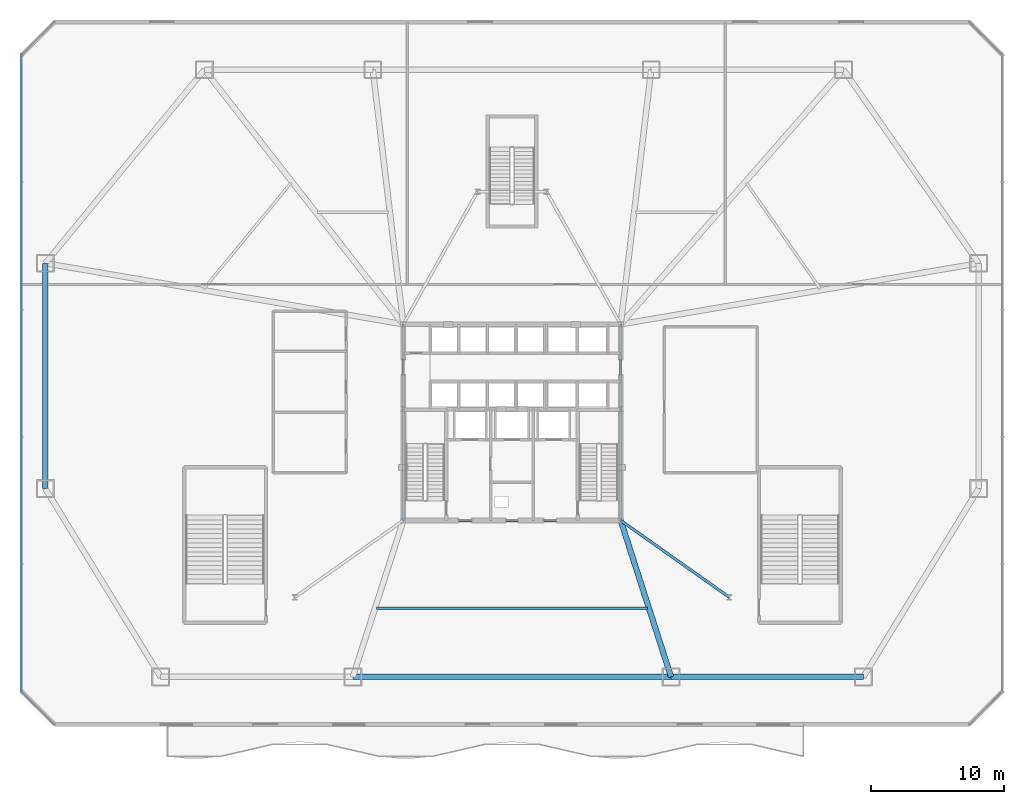
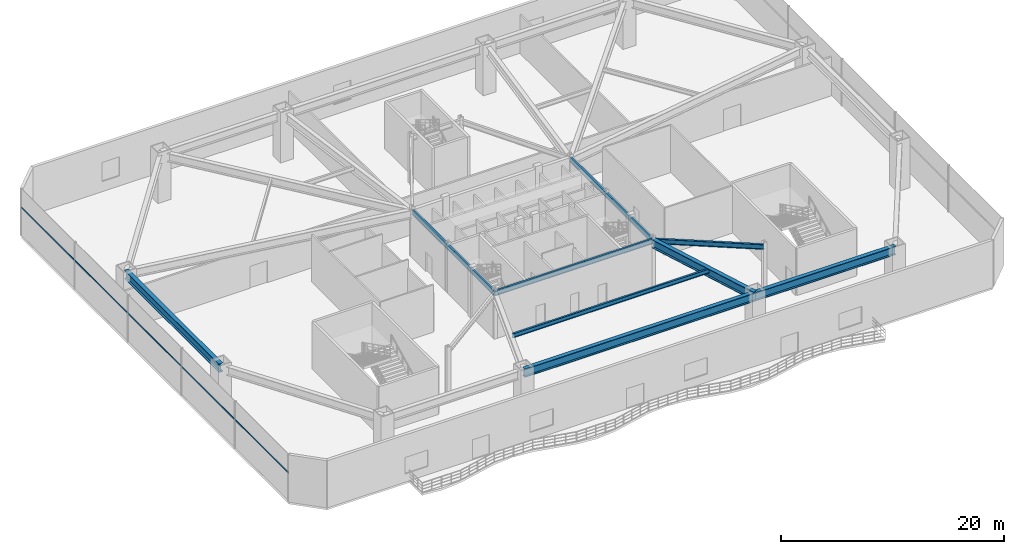
# One storey, part 6 of 20: 9 beams, 1 member, 1 element without a shape of its own.
"""IFC4 building model written with IfcOpenShell, lengths in metres."""

import ifcopenshell
import ifcopenshell.guid

model = None  # the IFC model being written
_history = None  # IfcOwnerHistory: only IFC2X3 demands one
_inside = {}  # id of a spatial element -> (the spatial element, [elements in it])
_under = {}  # id of a project, library or spatial element -> (it, [spatial elements below it])
_declared = {}  # id of a project -> (the project, [libraries it declares])
_typed = {}  # id of a type object -> (the type object, [elements of that type])
_made_of = {}  # id of a material, layer set ... -> (it, [elements and type objects made of it])


def new_model(schema):
    """Start an empty IFC model of exactly this schema.

    Asked for "IFC4X3", IfcOpenShell would pick the latest addendum, in which some entities
    have other attributes; the version numbers below select the first issue.
    IFC2X3 requires an IfcOwnerHistory on every rooted entity: one is made here for all.
    """
    global model, _history
    if schema == "IFC4X3":
        model = ifcopenshell.file(schema_version=(4, 3, 0, 0))
    else:
        model = ifcopenshell.file(schema=schema)
    _inside.clear()
    _under.clear()
    _declared.clear()
    _typed.clear()
    _made_of.clear()
    _history = None
    if model.schema == "IFC2X3":
        org = make("IfcOrganization", Name="unknown")
        user = make(
            "IfcPersonAndOrganization",
            ThePerson=make("IfcPerson", FamilyName="unknown"),
            TheOrganization=org,
        )
        app = make(
            "IfcApplication",
            ApplicationDeveloper=org,
            Version="unknown",
            ApplicationFullName="unknown",
            ApplicationIdentifier="unknown",
        )
        _history = make(
            "IfcOwnerHistory",
            OwningUser=user,
            OwningApplication=app,
            ChangeAction="ADDED",
            CreationDate=0,
        )
    return model


def make(cls, **values):
    """One entity of the class cls with the attributes given. An attribute that is None is left unset."""
    return model.create_entity(
        cls, **{name: value for name, value in values.items() if value is not None}
    )


def rooted(cls, **values):
    """An entity with a GlobalId (a new one), such as an element, a storey or a relation."""
    return make(cls, GlobalId=ifcopenshell.guid.new(), OwnerHistory=_history, **values)


def si_unit(unit_type, name, prefix=None):
    """IfcSIUnit, for example si_unit("LENGTHUNIT", "METRE", prefix="MILLI")."""
    return make("IfcSIUnit", UnitType=unit_type, Prefix=prefix, Name=name)


def assignment(units):
    """IfcUnitAssignment: the units of a project."""
    return None if units is None else make("IfcUnitAssignment", Units=units)


def point(xyz):
    """IfcCartesianPoint."""
    return None if xyz is None else make("IfcCartesianPoint", Coordinates=xyz)


def direction(xyz):
    """IfcDirection."""
    return None if xyz is None else make("IfcDirection", DirectionRatios=xyz)


def frame(location, z_axis=None, x_axis=None):
    """IfcAxis2Placement3D, a coordinate frame: its origin and axes. An axis left out is left unset."""
    return make(
        "IfcAxis2Placement3D",
        Location=point(location),
        Axis=direction(z_axis),
        RefDirection=direction(x_axis),
    )


def frame_2d(location, x_axis=None):
    """IfcAxis2Placement2D, a coordinate frame in the plane: its origin and x axis."""
    return make(
        "IfcAxis2Placement2D", Location=point(location), RefDirection=direction(x_axis)
    )


def origin():
    """The frame at (0, 0, 0) with its axes left unset."""
    return frame((0.0, 0.0, 0.0))


def origin_2d():
    """The frame at (0, 0) in the plane with its x axis left unset."""
    return frame_2d((0.0, 0.0))


def place(relative_to, where):
    """IfcLocalPlacement: puts the frame where relative to a parent placement (None: the world)."""
    return make(
        "IfcLocalPlacement", PlacementRelTo=relative_to, RelativePlacement=where
    )


def context(
    kind, dimensions, precision=None, world=None, true_north=None, identifier=None
):
    """IfcGeometricRepresentationContext, for example the 3D "Model" context."""
    return make(
        "IfcGeometricRepresentationContext",
        ContextIdentifier=identifier,
        ContextType=kind,
        CoordinateSpaceDimension=dimensions,
        Precision=precision,
        WorldCoordinateSystem=world,
        TrueNorth=true_north,
    )


def subcontext(parent, identifier, kind, view, scale=None):
    """IfcGeometricRepresentationSubContext, for example "Body" below "Model"."""
    return make(
        "IfcGeometricRepresentationSubContext",
        ContextIdentifier=identifier,
        ContextType=kind,
        ParentContext=parent,
        TargetScale=scale,
        TargetView=view,
    )


def project(units=None, contexts=None):
    """IfcProject with its units and contexts."""
    return rooted(
        "IfcProject",
        Name="project",
        RepresentationContexts=contexts,
        UnitsInContext=assignment(units),
    )


def spatial(cls, under=None, at=None, **own):
    """A site, building, storey or space (cls), placed at a placement, below another one or the project."""
    s = rooted(cls, ObjectPlacement=at, **own)
    if under is not None:
        _under.setdefault(under.id(), (under, []))[1].append(s)
    return s


def profile(cls, at=None, kind="AREA", **sizes):
    """A parametric profile (cls). Its sizes go by their IFC names, for example OverallWidth=200.0."""
    return make(cls, ProfileType=kind, Position=at, **sizes)


def rectangle(**sizes):
    """IfcRectangleProfileDef."""
    return profile("IfcRectangleProfileDef", **sizes)


def i_section(**sizes):
    """IfcIShapeProfileDef."""
    return profile("IfcIShapeProfileDef", **sizes)


def extrude(swept, where, along, depth):
    """IfcExtrudedAreaSolid: the profile swept, set in the frame where, extruded along a direction by depth."""
    return make(
        "IfcExtrudedAreaSolid",
        SweptArea=swept,
        Position=where,
        ExtrudedDirection=direction(along),
        Depth=depth,
    )


def shape(context_of_items, identifier, shape_type, items):
    """IfcShapeRepresentation: the items that make up one representation, for example the "Body"."""
    return make(
        "IfcShapeRepresentation",
        ContextOfItems=context_of_items,
        RepresentationIdentifier=identifier,
        RepresentationType=shape_type,
        Items=items,
    )


def source(mapping_origin, context_of_items, identifier, shape_type, items):
    """IfcRepresentationMap: a shape defined once, which mapped items show again and again."""
    return make(
        "IfcRepresentationMap",
        MappingOrigin=mapping_origin,
        MappedRepresentation=shape(context_of_items, identifier, shape_type, items),
    )


def transform(
    local_origin,
    x_axis=None,
    y_axis=None,
    z_axis=None,
    scale=None,
    scale2=None,
    scale3=None,
    uniform=True,
):
    """IfcCartesianTransformationOperator3D, or its non-uniform kind. x_axis, y_axis, z_axis: its Axis1, 2, 3."""
    if uniform:
        return make(
            "IfcCartesianTransformationOperator3D",
            Axis1=direction(x_axis),
            Axis2=direction(y_axis),
            LocalOrigin=point(local_origin),
            Scale=scale,
            Axis3=direction(z_axis),
        )
    return make(
        "IfcCartesianTransformationOperator3DnonUniform",
        Axis1=direction(x_axis),
        Axis2=direction(y_axis),
        LocalOrigin=point(local_origin),
        Scale=scale,
        Axis3=direction(z_axis),
        Scale2=scale2,
        Scale3=scale3,
    )


def mapped(mapping_source, mapping_target):
    """IfcMappedItem: shows the shape of a source again, moved by a transform."""
    return make(
        "IfcMappedItem", MappingSource=mapping_source, MappingTarget=mapping_target
    )


def material(Name=None, Category=None):
    """IfcMaterial."""
    return make("IfcMaterial", Name=Name, Category=Category)


def layer(
    of_material, thickness, ventilated=None, Name=None, Category=None, Priority=None
):
    """IfcMaterialLayer: one layer of a wall or slab, of a material (None: an air gap)."""
    return make(
        "IfcMaterialLayer",
        Material=of_material,
        LayerThickness=thickness,
        IsVentilated=ventilated,
        Name=Name,
        Category=Category,
        Priority=Priority,
    )


def layer_set(layers, Name=None):
    """IfcMaterialLayerSet."""
    return make("IfcMaterialLayerSet", MaterialLayers=layers, LayerSetName=Name)


def material_profile(
    of_material, cross_section, Name=None, Category=None, Priority=None
):
    """IfcMaterialProfile: a cross section and its material."""
    return make(
        "IfcMaterialProfile",
        Name=Name,
        Material=of_material,
        Profile=cross_section,
        Priority=Priority,
        Category=Category,
    )


def profile_set(profiles, Name=None, composite=None):
    """IfcMaterialProfileSet."""
    return make(
        "IfcMaterialProfileSet",
        Name=Name,
        MaterialProfiles=profiles,
        CompositeProfile=composite,
    )


def made_of(thing, what):
    """Note that an element or type object is made of a material, layer set ...; save() writes the relation."""
    if what is not None:
        _made_of.setdefault(what.id(), (what, []))[1].append(thing)
    return thing


def type_object(cls, material=None, **own):
    """A type object (cls), such as IfcWallType, which elements share."""
    return made_of(rooted(cls, **own), material)


def type_shapes(of_type, sources):
    """Give a type object the sources (RepresentationMaps) that its elements show as mapped items."""
    of_type.RepresentationMaps = sources


def element(
    cls,
    number,
    at=None,
    inside=None,
    cuts=None,
    type_object=None,
    material=None,
    context=None,
    identifier="Body",
    shape_type=None,
    held_by="IfcProductDefinitionShape",
    body=None,
    shapes=None,
    **own,
):
    """One element of the class cls, such as IfcWall. Its Tag is "e" and its number.

    at: its placement. inside: the storey or other place that contains it. cuts: it is an
    opening in that element (IfcRelVoidsElement). A single representation is given by context,
    identifier, shape_type and body (its items); several are given by shapes. held_by: the class
    of the entity that holds the representations. save() writes the other relations.
    """
    e = rooted(cls, Tag="e%d" % number, ObjectPlacement=at, **own)
    if body is not None:
        shapes = [shape(context, identifier, shape_type, body)]
    if shapes is not None:
        e.Representation = make(held_by, Representations=shapes)
    if inside is not None:
        _inside.setdefault(inside.id(), (inside, []))[1].append(e)
    if cuts is not None:
        rooted(
            "IfcRelVoidsElement", RelatingBuildingElement=cuts, RelatedOpeningElement=e
        )
    if type_object is not None:
        _typed.setdefault(type_object.id(), (type_object, []))[1].append(e)
    return made_of(e, material)


def aggregate(whole, parts):
    """IfcRelAggregates: a whole, such as a stair, and the parts it consists of."""
    return rooted("IfcRelAggregates", RelatingObject=whole, RelatedObjects=parts)


def save(model, path):
    """Write the relations noted so far, then the file.

    IfcRelAggregates (storeys below a building ...), IfcRelContainedInSpatialStructure (elements
    in a storey), IfcRelDefinesByType, IfcRelAssociatesMaterial and IfcRelDeclares: one each for
    every whole, place, type object, material and project.
    """
    for whole, parts in _under.values():
        aggregate(whole, parts)
    for where, things in _inside.values():
        rooted(
            "IfcRelContainedInSpatialStructure",
            RelatedElements=things,
            RelatingStructure=where,
        )
    for kind, things in _typed.values():
        rooted("IfcRelDefinesByType", RelatedObjects=things, RelatingType=kind)
    for what, things in _made_of.values():
        rooted("IfcRelAssociatesMaterial", RelatedObjects=things, RelatingMaterial=what)
    for by, libraries in _declared.values():
        rooted("IfcRelDeclares", RelatingContext=by, RelatedDefinitions=libraries)
    model.write(path)


model = new_model("IFC4")

# Units and contexts
model_context = context("Model", 3, precision=1e-05, world=origin(), true_north=direction((0.0, 1.0)))
body_context = subcontext(model_context, "Body", "Model", "MODEL_VIEW")
ifc_project = project(units=[si_unit("LENGTHUNIT", "METRE"), si_unit("AREAUNIT", "SQUARE_METRE"), si_unit("VOLUMEUNIT", "CUBIC_METRE"), si_unit("PLANEANGLEUNIT", "RADIAN"), si_unit("MASSUNIT", "GRAM", prefix="KILO")], contexts=[model_context])

# Site, building, storey
site_placement = place(None, origin())
site = spatial("IfcSite", under=ifc_project, at=site_placement, CompositionType="ELEMENT")
building_placement = place(site_placement, origin())
building = spatial("IfcBuilding", under=site, at=building_placement, Name="Varakhsha Concourse Tower", CompositionType="ELEMENT")
storey_placement = place(building_placement, frame((0.0, 0.0, 16.5)))
storey = spatial("IfcBuildingStorey", under=building, at=storey_placement, Name="L04", CompositionType="ELEMENT", Elevation=16.5)

# Beams
ifc_material_1 = material(Name="Structural Steel ASTM A992 Grade 50", Category="steel")
ifc_material_profile_1 = material_profile(ifc_material_1, i_section(OverallWidth=0.41796875, OverallDepth=0.927001953125, WebThickness=0.030029296875, FlangeThickness=0.051025390625, at=origin_2d()), Name="W36X231")
ifc_profile_set_1 = profile_set([ifc_material_profile_1], Name="Structural Steel ASTM A992 Grade 50")
beam_type_1 = type_object("IfcBeamType", Name="BM-HALL-W36X231", PredefinedType="USERDEFINED", material=ifc_profile_set_1)
beam_1_placement = place(storey_placement, frame((28.0, 4.60009765625, 4.716552734375), z_axis=(1.0, 0.0, 0.0), x_axis=(0.0, 1.0, 0.0)))
element("IfcBeam", 1, at=beam_1_placement, inside=storey, type_object=beam_type_1, Name="BM-PRING-L04-02", ObjectType="GIRDER", PredefinedType="USERDEFINED", context=body_context, shape_type="SweptSolid", body=[
    extrude(i_section(OverallWidth=0.41796875, OverallDepth=0.927001953125, WebThickness=0.030029296875, FlangeThickness=0.051025390625, at=origin_2d()), origin(), (0.0, 0.0, 1.0), 24.0),
])
beam_2_placement = place(storey_placement, frame((52.0, 4.60009765625, 4.716552734375), z_axis=(1.0, 0.0, 0.0), x_axis=(0.0, 1.0, 0.0)))
element("IfcBeam", 2, at=beam_2_placement, inside=storey, type_object=beam_type_1, Name="BM-PRING-L04-03", ObjectType="GIRDER", PredefinedType="USERDEFINED", context=body_context, shape_type="SweptSolid", body=[
    extrude(i_section(OverallWidth=0.41796875, OverallDepth=0.927001953125, WebThickness=0.030029296875, FlangeThickness=0.051025390625, at=origin_2d()), origin(), (0.0, 0.0, 1.0), 14.5),
])
beam_3_placement = place(storey_placement, frame((4.800048828125, 35.800048828125, 4.716552734375), z_axis=(0.0, -1.0, 0.0), x_axis=(1.0, 0.0, 0.0)))
element("IfcBeam", 3, at=beam_3_placement, inside=storey, type_object=beam_type_1, Name="BM-PRING-L04-11", ObjectType="GIRDER", PredefinedType="USERDEFINED", context=body_context, shape_type="SweptSolid", body=[
    extrude(i_section(OverallWidth=0.41796875, OverallDepth=0.927001953125, WebThickness=0.030029296875, FlangeThickness=0.051025390625, at=origin_2d()), origin(), (0.0, 0.0, 1.0), 17.0),
])
beam_4_placement = place(storey_placement, frame((48.199951171875, 16.39990234375, 4.716552734375), z_axis=(0.306539531823, -0.951857928175, 0.0), x_axis=(0.951857928175, 0.306539531823, 0.0)))
element("IfcBeam", 4, at=beam_4_placement, inside=storey, type_object=beam_type_1, Name="BM-PRAD-L04-03", ObjectType="GIRDER", PredefinedType="USERDEFINED", context=body_context, shape_type="SweptSolid", body=[
    extrude(i_section(OverallWidth=0.41796875, OverallDepth=0.927001953125, WebThickness=0.030029296875, FlangeThickness=0.051025390625, at=origin_2d()), origin(), (0.0, 0.0, 1.0), 12.396484375),
])
ifc_material_profile_2 = material_profile(ifc_material_1, i_section(OverallWidth=0.19091796875, OverallDepth=0.45703125, WebThickness=0.009033203125, FlangeThickness=0.013916015625, at=origin_2d()), Name="W18X50")
ifc_profile_set_2 = profile_set([ifc_material_profile_2], Name="Structural Steel ASTM A992 Grade 50")
beam_type_2 = type_object("IfcBeamType", Name="BM-JST-W18X50", PredefinedType="JOIST", material=ifc_profile_set_2)
beam_5_placement = place(storey_placement, frame((29.7919921875, 9.7919921875, 4.951416015625), z_axis=(1.0, 0.0, 0.0), x_axis=(0.0, 1.0, 0.0)))
element("IfcBeam", 5, at=beam_5_placement, inside=storey, type_object=beam_type_2, Name="BM-PJST-L04-02", PredefinedType="JOIST", context=body_context, shape_type="SweptSolid", body=[
    extrude(i_section(OverallWidth=0.19091796875, OverallDepth=0.45703125, WebThickness=0.009033203125, FlangeThickness=0.013916015625, at=origin_2d()), origin(), (0.0, 0.0, 1.0), 20.416015625),
])
ifc_material_profile_3 = material_profile(ifc_material_1, i_section(OverallWidth=0.2109375, OverallDepth=0.5390625, WebThickness=0.011962890625, FlangeThickness=0.01904296875, at=origin_2d()), Name="W21X73")
ifc_profile_set_3 = profile_set([ifc_material_profile_3], Name="Structural Steel ASTM A992 Grade 50")
beam_type_3 = type_object("IfcBeamType", Name="BM-RAD-W21X73", PredefinedType="BEAM", material=ifc_profile_set_3)
beam_6_placement = place(storey_placement, frame((31.800048828125, 16.39990234375, 4.910400390625), z_axis=(1.0, 0.0, 0.0), x_axis=(0.0, 1.0, 0.0)))
element("IfcBeam", 6, at=beam_6_placement, inside=storey, type_object=beam_type_3, Name="BM-CORE-L04-CS", PredefinedType="BEAM", context=body_context, shape_type="SweptSolid", body=[
    extrude(i_section(OverallWidth=0.2109375, OverallDepth=0.5390625, WebThickness=0.011962890625, FlangeThickness=0.01904296875, at=origin_2d()), origin(), (0.0, 0.0, 1.0), 16.39990234375),
])
for number, where, z_axis, x_axis, name in (
    (7, (31.800048828125, 16.39990234375, 4.910400390625), (0.0, 1.0, 0.0), (-1.0, 0.0, 0.0), "BM-CORE-L04-CW"),
    (8, (48.199951171875, 16.39990234375, 4.910400390625), (0.0, 1.0, 0.0), (-1.0, 0.0, 0.0), "BM-CORE-L04-CE"),
):
    element("IfcBeam", number, at=place(storey_placement, frame(where, z_axis=z_axis, x_axis=x_axis)), inside=storey, type_object=beam_type_3, Name=name, PredefinedType="BEAM", context=body_context, shape_type="SweptSolid", body=[
        extrude(i_section(OverallWidth=0.2109375, OverallDepth=0.5390625, WebThickness=0.011962890625, FlangeThickness=0.01904296875, at=origin_2d()), origin(), (0.0, 0.0, 1.0), 14.800048828125),
    ])
beam_7_placement = place(storey_placement, frame((48.199951171875, 16.39990234375, 4.910400390625), z_axis=(0.816423186202, -0.577454051014, 0.0), x_axis=(0.577454051014, 0.816423186202, 0.0)))
element("IfcBeam", 9, at=beam_7_placement, inside=storey, type_object=beam_type_3, Name="BM-CORE-L04-SSE", PredefinedType="BEAM", context=body_context, shape_type="SweptSolid", body=[
    extrude(i_section(OverallWidth=0.2109375, OverallDepth=0.5390625, WebThickness=0.011962890625, FlangeThickness=0.01904296875, at=origin_2d()), origin(), (0.0, 0.0, 1.0), 10.043701171875),
])

# Curtain wall, member
ifc_material_2 = material(Name="Anodised Bronze Architectural Aluminium AA 6063-T6", Category="aluminium")
ifc_layer = layer(ifc_material_2, 0.239990234375, Name="CW-SYS-01")
ifc_layer_set = layer_set([ifc_layer], Name="Anodised Bronze Architectural Aluminium AA 6063-T6")
curtain_wall_type = type_object("IfcCurtainWallType", Name="CW-SYS-01", PredefinedType="NOTDEFINED", material=ifc_layer_set)
curtain_wall_placement = place(storey_placement, origin())
curtain_wall = element("IfcCurtainWall", 10, at=curtain_wall_placement, inside=storey, type_object=curtain_wall_type, Name="L04 Podium Curtain Wall 07", PredefinedType="NOTDEFINED")
ifc_material_profile_4 = material_profile(ifc_material_2, rectangle(XDim=0.06494140625, YDim=0.159912109375, at=origin_2d()), Name="CWT-160X65")
ifc_profile_set_4 = profile_set([ifc_material_profile_4], Name="Anodised Bronze Architectural Aluminium AA 6063-T6")
member_type = type_object("IfcMemberType", Name="CWT-160X65", PredefinedType="USERDEFINED", material=ifc_profile_set_4)
shared_shape = source(origin(), body_context, "Body", "SweptSolid", [
    extrude(rectangle(XDim=0.06494140625, YDim=0.159912109375, at=origin_2d()), origin(), (0.0, 0.0, 1.0), 48.0),
])
type_shapes(member_type, [shared_shape])
member_placement = place(storey_placement, frame((3.0, 51.5, 3.10009765625), z_axis=(0.0, -1.0, 0.0), x_axis=(1.0, 0.0, 0.0)))
member = element("IfcMember", 11, at=member_placement, type_object=member_type, Name="CW-POD-L04-07 Transom 01", ObjectType="TRANSOM", PredefinedType="USERDEFINED", context=body_context, shape_type="MappedRepresentation", body=[
    mapped(shared_shape, transform((0.0, 0.0, 0.0), scale=1.0)),
])
aggregate(curtain_wall, [member])

save(model, "model.ifc")
